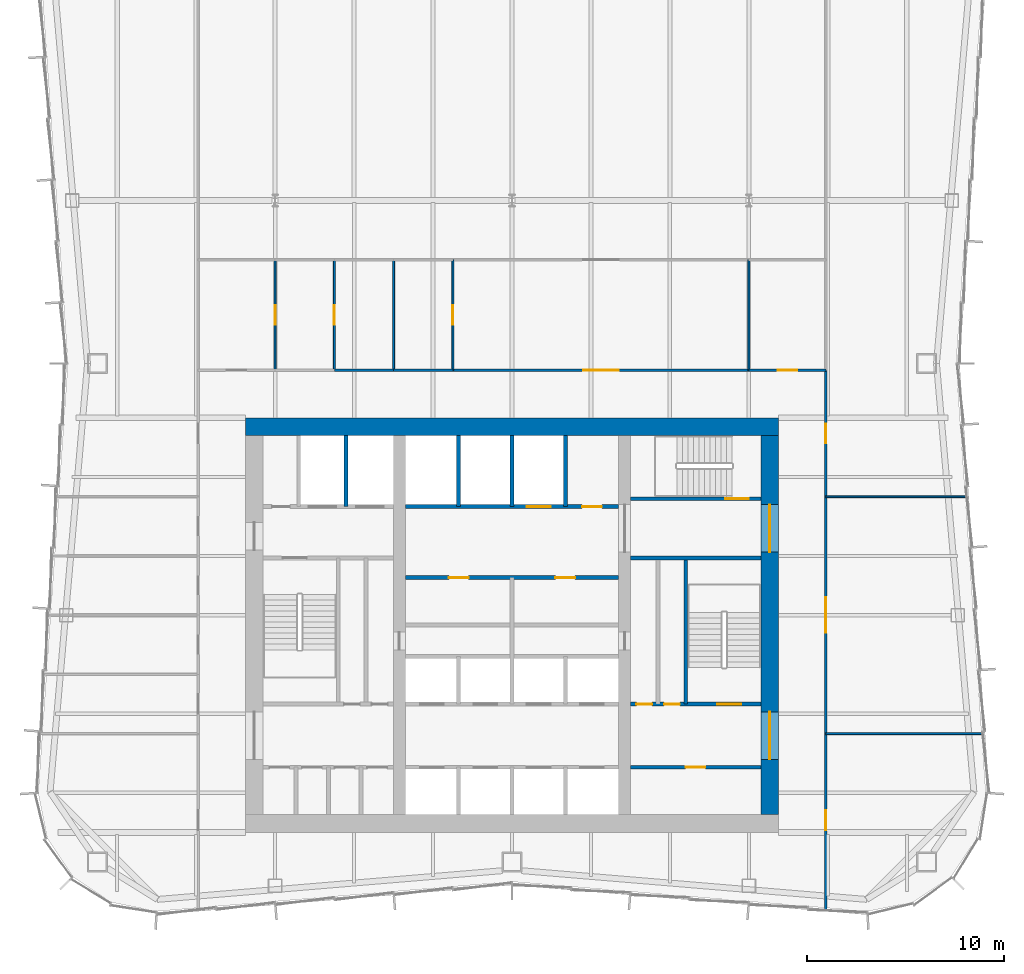
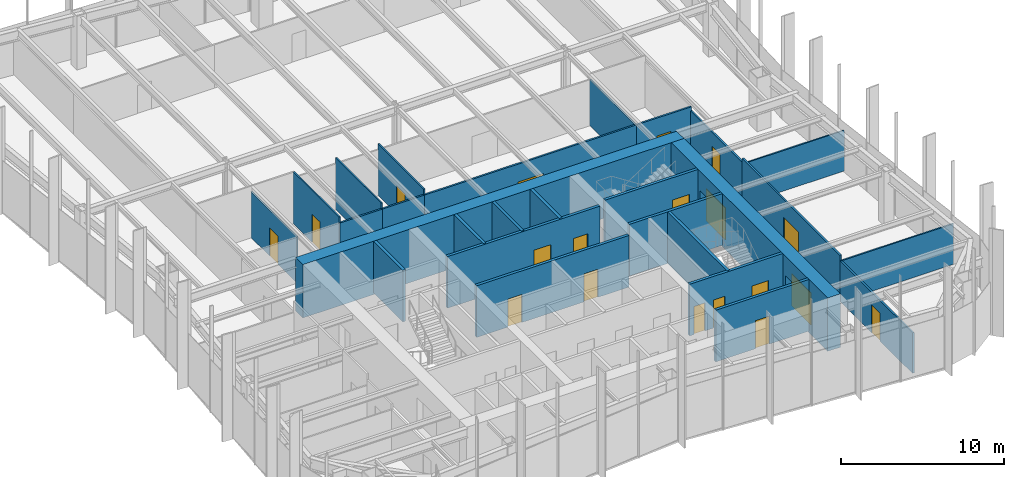
# One storey, part 11 of 13: 27 walls, 19 doors, 19 openings.
"""IFC4 building model written with IfcOpenShell, lengths in metres."""

import ifcopenshell
import ifcopenshell.guid

model = None  # the IFC model being written
_history = None  # IfcOwnerHistory: only IFC2X3 demands one
_inside = {}  # id of a spatial element -> (the spatial element, [elements in it])
_under = {}  # id of a project, library or spatial element -> (it, [spatial elements below it])
_declared = {}  # id of a project -> (the project, [libraries it declares])
_typed = {}  # id of a type object -> (the type object, [elements of that type])
_made_of = {}  # id of a material, layer set ... -> (it, [elements and type objects made of it])


def new_model(schema):
    """Start an empty IFC model of exactly this schema.

    Asked for "IFC4X3", IfcOpenShell would pick the latest addendum, in which some entities
    have other attributes; the version numbers below select the first issue.
    IFC2X3 requires an IfcOwnerHistory on every rooted entity: one is made here for all.
    """
    global model, _history
    if schema == "IFC4X3":
        model = ifcopenshell.file(schema_version=(4, 3, 0, 0))
    else:
        model = ifcopenshell.file(schema=schema)
    _inside.clear()
    _under.clear()
    _declared.clear()
    _typed.clear()
    _made_of.clear()
    _history = None
    if model.schema == "IFC2X3":
        org = make("IfcOrganization", Name="unknown")
        user = make(
            "IfcPersonAndOrganization",
            ThePerson=make("IfcPerson", FamilyName="unknown"),
            TheOrganization=org,
        )
        app = make(
            "IfcApplication",
            ApplicationDeveloper=org,
            Version="unknown",
            ApplicationFullName="unknown",
            ApplicationIdentifier="unknown",
        )
        _history = make(
            "IfcOwnerHistory",
            OwningUser=user,
            OwningApplication=app,
            ChangeAction="ADDED",
            CreationDate=0,
        )
    return model


def make(cls, **values):
    """One entity of the class cls with the attributes given. An attribute that is None is left unset."""
    return model.create_entity(
        cls, **{name: value for name, value in values.items() if value is not None}
    )


def rooted(cls, **values):
    """An entity with a GlobalId (a new one), such as an element, a storey or a relation."""
    return make(cls, GlobalId=ifcopenshell.guid.new(), OwnerHistory=_history, **values)


def si_unit(unit_type, name, prefix=None):
    """IfcSIUnit, for example si_unit("LENGTHUNIT", "METRE", prefix="MILLI")."""
    return make("IfcSIUnit", UnitType=unit_type, Prefix=prefix, Name=name)


def assignment(units):
    """IfcUnitAssignment: the units of a project."""
    return None if units is None else make("IfcUnitAssignment", Units=units)


def point(xyz):
    """IfcCartesianPoint."""
    return None if xyz is None else make("IfcCartesianPoint", Coordinates=xyz)


def direction(xyz):
    """IfcDirection."""
    return None if xyz is None else make("IfcDirection", DirectionRatios=xyz)


def frame(location, z_axis=None, x_axis=None):
    """IfcAxis2Placement3D, a coordinate frame: its origin and axes. An axis left out is left unset."""
    return make(
        "IfcAxis2Placement3D",
        Location=point(location),
        Axis=direction(z_axis),
        RefDirection=direction(x_axis),
    )


def frame_2d(location, x_axis=None):
    """IfcAxis2Placement2D, a coordinate frame in the plane: its origin and x axis."""
    return make(
        "IfcAxis2Placement2D", Location=point(location), RefDirection=direction(x_axis)
    )


def origin():
    """The frame at (0, 0, 0) with its axes left unset."""
    return frame((0.0, 0.0, 0.0))


def place(relative_to, where):
    """IfcLocalPlacement: puts the frame where relative to a parent placement (None: the world)."""
    return make(
        "IfcLocalPlacement", PlacementRelTo=relative_to, RelativePlacement=where
    )


def context(
    kind, dimensions, precision=None, world=None, true_north=None, identifier=None
):
    """IfcGeometricRepresentationContext, for example the 3D "Model" context."""
    return make(
        "IfcGeometricRepresentationContext",
        ContextIdentifier=identifier,
        ContextType=kind,
        CoordinateSpaceDimension=dimensions,
        Precision=precision,
        WorldCoordinateSystem=world,
        TrueNorth=true_north,
    )


def subcontext(parent, identifier, kind, view, scale=None):
    """IfcGeometricRepresentationSubContext, for example "Body" below "Model"."""
    return make(
        "IfcGeometricRepresentationSubContext",
        ContextIdentifier=identifier,
        ContextType=kind,
        ParentContext=parent,
        TargetScale=scale,
        TargetView=view,
    )


def project(units=None, contexts=None):
    """IfcProject with its units and contexts."""
    return rooted(
        "IfcProject",
        Name="project",
        RepresentationContexts=contexts,
        UnitsInContext=assignment(units),
    )


def spatial(cls, under=None, at=None, **own):
    """A site, building, storey or space (cls), placed at a placement, below another one or the project."""
    s = rooted(cls, ObjectPlacement=at, **own)
    if under is not None:
        _under.setdefault(under.id(), (under, []))[1].append(s)
    return s


def profile(cls, at=None, kind="AREA", **sizes):
    """A parametric profile (cls). Its sizes go by their IFC names, for example OverallWidth=200.0."""
    return make(cls, ProfileType=kind, Position=at, **sizes)


def rectangle(**sizes):
    """IfcRectangleProfileDef."""
    return profile("IfcRectangleProfileDef", **sizes)


def extrude(swept, where, along, depth):
    """IfcExtrudedAreaSolid: the profile swept, set in the frame where, extruded along a direction by depth."""
    return make(
        "IfcExtrudedAreaSolid",
        SweptArea=swept,
        Position=where,
        ExtrudedDirection=direction(along),
        Depth=depth,
    )


def shape(context_of_items, identifier, shape_type, items):
    """IfcShapeRepresentation: the items that make up one representation, for example the "Body"."""
    return make(
        "IfcShapeRepresentation",
        ContextOfItems=context_of_items,
        RepresentationIdentifier=identifier,
        RepresentationType=shape_type,
        Items=items,
    )


def material(Name=None, Category=None):
    """IfcMaterial."""
    return make("IfcMaterial", Name=Name, Category=Category)


def layer(
    of_material, thickness, ventilated=None, Name=None, Category=None, Priority=None
):
    """IfcMaterialLayer: one layer of a wall or slab, of a material (None: an air gap)."""
    return make(
        "IfcMaterialLayer",
        Material=of_material,
        LayerThickness=thickness,
        IsVentilated=ventilated,
        Name=Name,
        Category=Category,
        Priority=Priority,
    )


def layer_set(layers, Name=None):
    """IfcMaterialLayerSet."""
    return make("IfcMaterialLayerSet", MaterialLayers=layers, LayerSetName=Name)


def made_of(thing, what):
    """Note that an element or type object is made of a material, layer set ...; save() writes the relation."""
    if what is not None:
        _made_of.setdefault(what.id(), (what, []))[1].append(thing)
    return thing


def type_object(cls, material=None, **own):
    """A type object (cls), such as IfcWallType, which elements share."""
    return made_of(rooted(cls, **own), material)


def element(
    cls,
    number,
    at=None,
    inside=None,
    cuts=None,
    type_object=None,
    material=None,
    context=None,
    identifier="Body",
    shape_type=None,
    held_by="IfcProductDefinitionShape",
    body=None,
    shapes=None,
    **own,
):
    """One element of the class cls, such as IfcWall. Its Tag is "e" and its number.

    at: its placement. inside: the storey or other place that contains it. cuts: it is an
    opening in that element (IfcRelVoidsElement). A single representation is given by context,
    identifier, shape_type and body (its items); several are given by shapes. held_by: the class
    of the entity that holds the representations. save() writes the other relations.
    """
    e = rooted(cls, Tag="e%d" % number, ObjectPlacement=at, **own)
    if body is not None:
        shapes = [shape(context, identifier, shape_type, body)]
    if shapes is not None:
        e.Representation = make(held_by, Representations=shapes)
    if inside is not None:
        _inside.setdefault(inside.id(), (inside, []))[1].append(e)
    if cuts is not None:
        rooted(
            "IfcRelVoidsElement", RelatingBuildingElement=cuts, RelatedOpeningElement=e
        )
    if type_object is not None:
        _typed.setdefault(type_object.id(), (type_object, []))[1].append(e)
    return made_of(e, material)


def fill(opening, filler):
    """IfcRelFillsElement: the door or window that sits in an opening."""
    return rooted(
        "IfcRelFillsElement",
        RelatingOpeningElement=opening,
        RelatedBuildingElement=filler,
    )


def aggregate(whole, parts):
    """IfcRelAggregates: a whole, such as a stair, and the parts it consists of."""
    return rooted("IfcRelAggregates", RelatingObject=whole, RelatedObjects=parts)


def save(model, path):
    """Write the relations noted so far, then the file.

    IfcRelAggregates (storeys below a building ...), IfcRelContainedInSpatialStructure (elements
    in a storey), IfcRelDefinesByType, IfcRelAssociatesMaterial and IfcRelDeclares: one each for
    every whole, place, type object, material and project.
    """
    for whole, parts in _under.values():
        aggregate(whole, parts)
    for where, things in _inside.values():
        rooted(
            "IfcRelContainedInSpatialStructure",
            RelatedElements=things,
            RelatingStructure=where,
        )
    for kind, things in _typed.values():
        rooted("IfcRelDefinesByType", RelatedObjects=things, RelatingType=kind)
    for what, things in _made_of.values():
        rooted("IfcRelAssociatesMaterial", RelatedObjects=things, RelatingMaterial=what)
    for by, libraries in _declared.values():
        rooted("IfcRelDeclares", RelatingContext=by, RelatedDefinitions=libraries)
    model.write(path)


model = new_model("IFC4")

# Units and contexts
model_context = context("Model", 3, precision=1e-05, world=origin(), true_north=direction((0.0, 1.0)))
body_context = subcontext(model_context, "Body", "Model", "MODEL_VIEW")
ifc_project = project(units=[si_unit("LENGTHUNIT", "METRE"), si_unit("AREAUNIT", "SQUARE_METRE"), si_unit("VOLUMEUNIT", "CUBIC_METRE"), si_unit("PLANEANGLEUNIT", "RADIAN"), si_unit("MASSUNIT", "GRAM", prefix="KILO")], contexts=[model_context])

# Site, building, storey
site_placement = place(None, origin())
site = spatial("IfcSite", under=ifc_project, at=site_placement, CompositionType="ELEMENT")
building_placement = place(site_placement, origin())
building = spatial("IfcBuilding", under=site, at=building_placement, Name="Verdant Reach Tower", CompositionType="ELEMENT")
storey_placement = place(building_placement, frame((0.0, 0.0, 218.0)))
storey = spatial("IfcBuildingStorey", under=building, at=storey_placement, Name="L50", CompositionType="ELEMENT", Elevation=218.0)

# Wall, opening, door
ifc_material_1 = material(Name="Gypsum board on steel studs", Category="steel")
ifc_layer_1 = layer(ifc_material_1, 0.199951171875)
ifc_layer_set_1 = layer_set([ifc_layer_1], Name="CO-WALL-ROOM")
wall_type_1 = type_object("IfcWallType", Name="CO-WALL-ROOM", PredefinedType="PARTITIONING", material=ifc_layer_set_1)
wall_1_placement = place(storey_placement, frame((6.0, 20.800048828125, 0.0), z_axis=(0.0, 0.0, 1.0), x_axis=(1.0, 0.0, 0.0)))
wall_1 = element("IfcWall", 1, at=wall_1_placement, inside=storey, type_object=wall_type_1, Name="Core partition, L50", PredefinedType="PARTITIONING", context=body_context, shape_type="SweptSolid", body=[
    extrude(rectangle(XDim=6.60009765625, YDim=0.199951171875, at=frame_2d((3.300048828125, 0.0))), origin(), (0.0, 0.0, 1.0), 3.8701171875),
])
opening_1_placement = place(wall_1_placement, frame((2.800048828125, 0.0, 0.0)))
opening_1 = element("IfcOpeningElement", 2, at=opening_1_placement, cuts=wall_1, Name="Opening CD", PredefinedType="OPENING", context=body_context, shape_type="SweptSolid", body=[
    extrude(rectangle(XDim=1.0, YDim=2.10009765625, at=frame_2d((0.5, 1.050048828125))), frame((0.0, 0.10986328125, 0.0), z_axis=(0.0, -1.0, 0.0), x_axis=(1.0, 0.0, 0.0)), (0.0, 0.0, 1.0), 0.219970703125),
])
ifc_material_2 = material(Name="Timber", Category="wood")
door_type_1 = type_object("IfcDoorType", Name="CO-DOOR-ROOM", OperationType="NOTDEFINED", PredefinedType="DOOR", material=ifc_material_2)
door_1_placement = place(opening_1_placement, origin())
door_1 = element("IfcDoor", 3, at=door_1_placement, inside=storey, type_object=door_type_1, Name="Core room door, L50", OperationType="SINGLE_SWING_LEFT", OverallHeight=2.10009765625, OverallWidth=1.0, PredefinedType="DOOR", context=body_context, shape_type="SweptSolid", body=[
    extrude(rectangle(XDim=1.0, YDim=2.10009765625, at=frame_2d((0.5, 1.050048828125))), frame((0.0, 0.02490234375, 0.0), z_axis=(0.0, -1.0, 0.0), x_axis=(1.0, 0.0, 0.0)), (0.0, 0.0, 1.0), 0.050048828125),
])
fill(opening_1, door_1)

# Wall, openings, doors
wall_2_placement = place(storey_placement, frame((-5.39990234375, 30.39990234375, 0.0), z_axis=(0.0, 0.0, 1.0), x_axis=(1.0, 0.0, 0.0)))
wall_2 = element("IfcWall", 4, at=wall_2_placement, inside=storey, type_object=wall_type_1, Name="Core partition, L50", PredefinedType="PARTITIONING", context=body_context, shape_type="SweptSolid", body=[
    extrude(rectangle(XDim=10.7998046875, YDim=0.199951171875, at=frame_2d((5.39990234375, 0.0))), origin(), (0.0, 0.0, 1.0), 3.8701171875),
])
opening_2_placement = place(wall_2_placement, frame((2.199951171875, 0.0, 0.0)))
opening_2 = element("IfcOpeningElement", 5, at=opening_2_placement, cuts=wall_2, Name="Opening CD", PredefinedType="OPENING", context=body_context, shape_type="SweptSolid", body=[
    extrude(rectangle(XDim=1.0, YDim=2.10009765625, at=frame_2d((0.5, 1.050048828125))), frame((0.0, 0.10986328125, 0.0), z_axis=(0.0, -1.0, 0.0), x_axis=(1.0, 0.0, 0.0)), (0.0, 0.0, 1.0), 0.219970703125),
])
opening_3_placement = place(wall_2_placement, frame((7.60009765625, 0.0, 0.0)))
opening_3 = element("IfcOpeningElement", 6, at=opening_3_placement, cuts=wall_2, Name="Opening CD", PredefinedType="OPENING", context=body_context, shape_type="SweptSolid", body=[
    extrude(rectangle(XDim=1.0, YDim=2.10009765625, at=frame_2d((0.5, 1.050048828125))), frame((0.0, 0.10986328125, 0.0), z_axis=(0.0, -1.0, 0.0), x_axis=(1.0, 0.0, 0.0)), (0.0, 0.0, 1.0), 0.219970703125),
])
door_2_placement = place(opening_2_placement, origin())
door_2 = element("IfcDoor", 7, at=door_2_placement, inside=storey, type_object=door_type_1, Name="Core room door, L50", OperationType="SINGLE_SWING_LEFT", OverallHeight=2.10009765625, OverallWidth=1.0, PredefinedType="DOOR", context=body_context, shape_type="SweptSolid", body=[
    extrude(rectangle(XDim=1.0, YDim=2.10009765625, at=frame_2d((0.5, 1.050048828125))), frame((0.0, 0.02490234375, 0.0), z_axis=(0.0, -1.0, 0.0), x_axis=(1.0, 0.0, 0.0)), (0.0, 0.0, 1.0), 0.050048828125),
])
fill(opening_2, door_2)
door_3_placement = place(opening_3_placement, origin())
door_3 = element("IfcDoor", 8, at=door_3_placement, inside=storey, type_object=door_type_1, Name="Core room door, L50", OperationType="SINGLE_SWING_RIGHT", OverallHeight=2.10009765625, OverallWidth=1.0, PredefinedType="DOOR", context=body_context, shape_type="SweptSolid", body=[
    extrude(rectangle(XDim=1.0, YDim=2.10009765625, at=frame_2d((0.5, 1.050048828125))), frame((0.0, 0.02490234375, 0.0), z_axis=(0.0, -1.0, 0.0), x_axis=(1.0, 0.0, 0.0)), (0.0, 0.0, 1.0), 0.050048828125),
])
fill(opening_3, door_3)

ifc_material_3 = material(Name="Concrete C40/50", Category="concrete")
ifc_layer_2 = layer(ifc_material_3, 0.199951171875)
ifc_layer_set_2 = layer_set([ifc_layer_2], Name="CO-WALL-SHAFT")
wall_type_2 = type_object("IfcWallType", Name="CO-WALL-SHAFT", PredefinedType="PARTITIONING", material=ifc_layer_set_2)
wall_3_placement = place(storey_placement, frame((-5.39990234375, 34.0, 0.0), z_axis=(0.0, 0.0, 1.0), x_axis=(1.0, 0.0, 0.0)))
wall_3 = element("IfcWall", 9, at=wall_3_placement, inside=storey, type_object=wall_type_2, Name="Lift shaft wall, L50", PredefinedType="PARTITIONING", context=body_context, shape_type="SweptSolid", body=[
    extrude(rectangle(XDim=10.7998046875, YDim=0.199951171875, at=frame_2d((5.39990234375, 0.0))), origin(), (0.0, 0.0, 1.0), 3.8701171875),
])
opening_4_placement = place(wall_3_placement, frame((6.14990234375, 0.0, 0.0)))
opening_4 = element("IfcOpeningElement", 10, at=opening_4_placement, cuts=wall_3, Name="Opening LD-SL1", PredefinedType="OPENING", context=body_context, shape_type="SweptSolid", body=[
    extrude(rectangle(XDim=1.199951171875, YDim=2.199951171875, at=frame_2d((0.60009765625, 1.10009765625))), frame((0.0, 0.10986328125, 0.0), z_axis=(0.0, -1.0, 0.0), x_axis=(1.0, 0.0, 0.0)), (0.0, 0.0, 1.0), 0.219970703125),
])
opening_5_placement = place(wall_3_placement, frame((8.949951171875, 0.0, 0.0)))
opening_5 = element("IfcOpeningElement", 11, at=opening_5_placement, cuts=wall_3, Name="Opening CD", PredefinedType="OPENING", context=body_context, shape_type="SweptSolid", body=[
    extrude(rectangle(XDim=1.0, YDim=2.10009765625, at=frame_2d((0.5, 1.050048828125))), frame((0.0, 0.10986328125, 0.0), z_axis=(0.0, -1.0, 0.0), x_axis=(1.0, 0.0, 0.0)), (0.0, 0.0, 1.0), 0.219970703125),
])
ifc_material_4 = material(Name="Stainless steel", Category="steel")
door_type_2 = type_object("IfcDoorType", Name="CO-DOOR-LANDING", OperationType="SLIDING_TO_LEFT", PredefinedType="DOOR", material=ifc_material_4)
door_4_placement = place(opening_4_placement, origin())
door_4 = element("IfcDoor", 12, at=door_4_placement, inside=storey, type_object=door_type_2, Name="Landing door SL1, L50", OperationType="SLIDING_TO_LEFT", OverallHeight=2.199951171875, OverallWidth=1.199951171875, PredefinedType="DOOR", context=body_context, shape_type="SweptSolid", body=[
    extrude(rectangle(XDim=1.199951171875, YDim=2.199951171875, at=frame_2d((0.60009765625, 1.10009765625))), frame((0.0, 0.02490234375, 0.0), z_axis=(0.0, -1.0, 0.0), x_axis=(1.0, 0.0, 0.0)), (0.0, 0.0, 1.0), 0.050048828125),
])
fill(opening_4, door_4)
door_5_placement = place(opening_5_placement, origin())
door_5 = element("IfcDoor", 13, at=door_5_placement, inside=storey, type_object=door_type_1, Name="Core room door, L50", OperationType="SINGLE_SWING_LEFT", OverallHeight=2.10009765625, OverallWidth=1.0, PredefinedType="DOOR", context=body_context, shape_type="SweptSolid", body=[
    extrude(rectangle(XDim=1.0, YDim=2.10009765625, at=frame_2d((0.5, 1.050048828125))), frame((0.0, 0.02490234375, 0.0), z_axis=(0.0, -1.0, 0.0), x_axis=(1.0, 0.0, 0.0)), (0.0, 0.0, 1.0), 0.050048828125),
])
fill(opening_5, door_5)

# Walls
for number, where, z_axis, x_axis, name in (
    (14, (-8.39990234375, 34.0, 0.0), (0.0, 0.0, 1.0), (0.0, 1.0, 0.0), "Lift shaft wall, L50"),
    (15, (-2.699951171875, 34.0, 0.0), (0.0, 0.0, 1.0), (0.0, 1.0, 0.0), "Lift shaft wall, L50"),
    (16, (0.0, 34.0, 0.0), (0.0, 0.0, 1.0), (0.0, 1.0, 0.0), "Lift shaft wall, L50"),
    (17, (2.699951171875, 34.0, 0.0), (0.0, 0.0, 1.0), (0.0, 1.0, 0.0), "Lift shaft wall, L50"),
):
    element("IfcWall", number, at=place(storey_placement, frame(where, z_axis=z_axis, x_axis=x_axis)), inside=storey, type_object=wall_type_2, Name=name, PredefinedType="PARTITIONING", context=body_context, shape_type="SweptSolid", body=[
        extrude(rectangle(XDim=3.60009765625, YDim=0.199951171875, at=frame_2d((1.800048828125, 0.0))), origin(), (0.0, 0.0, 1.0), 3.8701171875),
    ])

# Wall, openings, doors
ifc_layer_3 = layer(ifc_material_3, 0.199951171875)
ifc_layer_set_3 = layer_set([ifc_layer_3], Name="CO-WALL-STAIR")
wall_type_3 = type_object("IfcWallType", Name="CO-WALL-STAIR", PredefinedType="PARTITIONING", material=ifc_layer_set_3)
wall_4_placement = place(storey_placement, frame((6.0, 24.0, 0.0), z_axis=(0.0, 0.0, 1.0), x_axis=(1.0, 0.0, 0.0)))
wall_4 = element("IfcWall", 18, at=wall_4_placement, inside=storey, type_object=wall_type_3, Name="Stair enclosure wall, L50", PredefinedType="PARTITIONING", context=body_context, shape_type="SweptSolid", body=[
    extrude(rectangle(XDim=6.60009765625, YDim=0.199951171875, at=frame_2d((3.300048828125, 0.0))), origin(), (0.0, 0.0, 1.0), 3.8701171875),
])
opening_6_placement = place(wall_4_placement, frame((0.300048828125, 0.0, 0.0)))
opening_6 = element("IfcOpeningElement", 19, at=opening_6_placement, cuts=wall_4, Name="Opening CDN", PredefinedType="OPENING", context=body_context, shape_type="SweptSolid", body=[
    extrude(rectangle(XDim=0.800048828125, YDim=2.10009765625, at=frame_2d((0.39990234375, 1.050048828125))), frame((0.0, 0.10986328125, 0.0), z_axis=(0.0, -1.0, 0.0), x_axis=(1.0, 0.0, 0.0)), (0.0, 0.0, 1.0), 0.219970703125),
])
opening_7_placement = place(wall_4_placement, frame((1.699951171875, 0.0, 0.0)))
opening_7 = element("IfcOpeningElement", 20, at=opening_7_placement, cuts=wall_4, Name="Opening CDN", PredefinedType="OPENING", context=body_context, shape_type="SweptSolid", body=[
    extrude(rectangle(XDim=0.800048828125, YDim=2.10009765625, at=frame_2d((0.39990234375, 1.050048828125))), frame((0.0, 0.10986328125, 0.0), z_axis=(0.0, -1.0, 0.0), x_axis=(1.0, 0.0, 0.0)), (0.0, 0.0, 1.0), 0.219970703125),
])
opening_8_placement = place(wall_4_placement, frame((4.39990234375, 0.0, 0.0)))
opening_8 = element("IfcOpeningElement", 21, at=opening_8_placement, cuts=wall_4, Name="Opening SD", PredefinedType="OPENING", context=body_context, shape_type="SweptSolid", body=[
    extrude(rectangle(XDim=1.199951171875, YDim=2.199951171875, at=frame_2d((0.60009765625, 1.10009765625))), frame((0.0, 0.10986328125, 0.0), z_axis=(0.0, -1.0, 0.0), x_axis=(1.0, 0.0, 0.0)), (0.0, 0.0, 1.0), 0.219970703125),
])
door_type_3 = type_object("IfcDoorType", Name="CO-DOOR-ROOM-NARROW", OperationType="NOTDEFINED", PredefinedType="DOOR", material=ifc_material_2)
door_6_placement = place(opening_6_placement, origin())
door_6 = element("IfcDoor", 22, at=door_6_placement, inside=storey, type_object=door_type_3, Name="Core room door, L50", OperationType="SINGLE_SWING_RIGHT", OverallHeight=2.10009765625, OverallWidth=0.800048828125, PredefinedType="DOOR", context=body_context, shape_type="SweptSolid", body=[
    extrude(rectangle(XDim=0.800048828125, YDim=2.10009765625, at=frame_2d((0.39990234375, 1.050048828125))), frame((0.0, 0.02490234375, 0.0), z_axis=(0.0, -1.0, 0.0), x_axis=(1.0, 0.0, 0.0)), (0.0, 0.0, 1.0), 0.050048828125),
])
fill(opening_6, door_6)
door_7_placement = place(opening_7_placement, origin())
door_7 = element("IfcDoor", 23, at=door_7_placement, inside=storey, type_object=door_type_3, Name="Core room door, L50", OperationType="SINGLE_SWING_LEFT", OverallHeight=2.10009765625, OverallWidth=0.800048828125, PredefinedType="DOOR", context=body_context, shape_type="SweptSolid", body=[
    extrude(rectangle(XDim=0.800048828125, YDim=2.10009765625, at=frame_2d((0.39990234375, 1.050048828125))), frame((0.0, 0.02490234375, 0.0), z_axis=(0.0, -1.0, 0.0), x_axis=(1.0, 0.0, 0.0)), (0.0, 0.0, 1.0), 0.050048828125),
])
fill(opening_7, door_7)
ifc_material_5 = material(Name="Steel", Category="steel")
door_type_4 = type_object("IfcDoorType", Name="CO-DOOR-STAIR", OperationType="NOTDEFINED", PredefinedType="DOOR", material=ifc_material_5)
door_8_placement = place(opening_8_placement, origin())
door_8 = element("IfcDoor", 24, at=door_8_placement, inside=storey, type_object=door_type_4, Name="Stair door, L50", OperationType="SINGLE_SWING_LEFT", OverallHeight=2.199951171875, OverallWidth=1.199951171875, PredefinedType="DOOR", context=body_context, shape_type="SweptSolid", body=[
    extrude(rectangle(XDim=1.199951171875, YDim=2.199951171875, at=frame_2d((0.60009765625, 1.10009765625))), frame((0.0, 0.02490234375, 0.0), z_axis=(0.0, -1.0, 0.0), x_axis=(1.0, 0.0, 0.0)), (0.0, 0.0, 1.0), 0.050048828125),
])
fill(opening_8, door_8)

# Wall
wall_5_placement = place(storey_placement, frame((6.0, 31.39990234375, 0.0), z_axis=(0.0, 0.0, 1.0), x_axis=(1.0, 0.0, 0.0)))
element("IfcWall", 25, at=wall_5_placement, inside=storey, type_object=wall_type_3, Name="Stair enclosure wall, L50", PredefinedType="PARTITIONING", context=body_context, shape_type="SweptSolid", body=[
    extrude(rectangle(XDim=6.60009765625, YDim=0.199951171875, at=frame_2d((3.300048828125, 0.0))), origin(), (0.0, 0.0, 1.0), 3.8701171875),
])

# Wall, opening, door
wall_6_placement = place(storey_placement, frame((6.0, 34.39990234375, 0.0), z_axis=(0.0, 0.0, 1.0), x_axis=(1.0, 0.0, 0.0)))
wall_6 = element("IfcWall", 26, at=wall_6_placement, inside=storey, type_object=wall_type_3, Name="Stair enclosure wall, L50", PredefinedType="PARTITIONING", context=body_context, shape_type="SweptSolid", body=[
    extrude(rectangle(XDim=6.60009765625, YDim=0.199951171875, at=frame_2d((3.300048828125, 0.0))), origin(), (0.0, 0.0, 1.0), 3.8701171875),
])
opening_9_placement = place(wall_6_placement, frame((4.800048828125, 0.0, 0.0)))
opening_9 = element("IfcOpeningElement", 27, at=opening_9_placement, cuts=wall_6, Name="Opening SD", PredefinedType="OPENING", context=body_context, shape_type="SweptSolid", body=[
    extrude(rectangle(XDim=1.199951171875, YDim=2.199951171875, at=frame_2d((0.60009765625, 1.10009765625))), frame((0.0, 0.10986328125, 0.0), z_axis=(0.0, -1.0, 0.0), x_axis=(1.0, 0.0, 0.0)), (0.0, 0.0, 1.0), 0.219970703125),
])
door_9_placement = place(opening_9_placement, origin())
door_9 = element("IfcDoor", 28, at=door_9_placement, inside=storey, type_object=door_type_4, Name="Stair door, L50", OperationType="SINGLE_SWING_RIGHT", OverallHeight=2.199951171875, OverallWidth=1.199951171875, PredefinedType="DOOR", context=body_context, shape_type="SweptSolid", body=[
    extrude(rectangle(XDim=1.199951171875, YDim=2.199951171875, at=frame_2d((0.60009765625, 1.10009765625))), frame((0.0, 0.02490234375, 0.0), z_axis=(0.0, -1.0, 0.0), x_axis=(1.0, 0.0, 0.0)), (0.0, 0.0, 1.0), 0.050048828125),
])
fill(opening_9, door_9)

# Wall
wall_7_placement = place(storey_placement, frame((8.800048828125, 24.0, 0.0), z_axis=(0.0, 0.0, 1.0), x_axis=(0.0, 1.0, 0.0)))
element("IfcWall", 29, at=wall_7_placement, inside=storey, type_object=wall_type_3, Name="Stair enclosure wall, L50", PredefinedType="PARTITIONING", context=body_context, shape_type="SweptSolid", body=[
    extrude(rectangle(XDim=7.39990234375, YDim=0.199951171875, at=frame_2d((3.699951171875, 0.0))), origin(), (0.0, 0.0, 1.0), 3.8701171875),
])

# Wall, opening, door
ifc_layer_4 = layer(ifc_material_1, 0.10009765625)
ifc_layer_set_4 = layer_set([ifc_layer_4], Name="FL-W1 Partition 100")
wall_type_4 = type_object("IfcWallType", Name="FL-W1 Partition 100", PredefinedType="PARTITIONING", material=ifc_layer_set_4)
wall_8_placement = place(storey_placement, frame((-12.0, 46.5, 0.0), z_axis=(0.0, 0.0, 1.0), x_axis=(0.0, -1.0, 0.0)))
wall_8 = element("IfcWall", 30, at=wall_8_placement, inside=storey, type_object=wall_type_4, Name="Partition 50.16", PredefinedType="PARTITIONING", context=body_context, shape_type="SweptSolid", body=[
    extrude(rectangle(XDim=5.60009765625, YDim=0.10009765625, at=frame_2d((2.800048828125, 0.0))), origin(), (0.0, 0.0, 1.0), 3.43994140625),
])
opening_10_placement = place(wall_8_placement, frame((2.300048828125, 0.0, 0.0)))
opening_10 = element("IfcOpeningElement", 31, at=opening_10_placement, cuts=wall_8, Name="Opening D3", PredefinedType="OPENING", context=body_context, shape_type="SweptSolid", body=[
    extrude(rectangle(XDim=1.0, YDim=2.10009765625, at=frame_2d((0.5, 1.050048828125))), frame((0.0, 0.06005859375, 0.0), z_axis=(0.0, -1.0, 0.0), x_axis=(1.0, 0.0, 0.0)), (0.0, 0.0, 1.0), 0.1201171875),
])
ifc_material_6 = material(Name="Painted timber door leaf", Category="wood")
door_type_5 = type_object("IfcDoorType", Name="FL-D3 Door 1000x2100", OperationType="NOTDEFINED", PredefinedType="DOOR", material=ifc_material_6)
door_10_placement = place(opening_10_placement, origin())
door_10 = element("IfcDoor", 32, at=door_10_placement, inside=storey, type_object=door_type_5, Name="Door 50-013", OperationType="SINGLE_SWING_LEFT", OverallHeight=2.10009765625, OverallWidth=1.0, PredefinedType="DOOR", context=body_context, shape_type="SweptSolid", body=[
    extrude(rectangle(XDim=1.0, YDim=2.10009765625, at=frame_2d((0.5, 1.050048828125))), frame((0.0, 0.02490234375, 0.0), z_axis=(0.0, -1.0, 0.0), x_axis=(1.0, 0.0, 0.0)), (0.0, 0.0, 1.0), 0.050048828125),
])
fill(opening_10, door_10)

wall_9_placement = place(storey_placement, frame((-9.0, 46.5, 0.0), z_axis=(0.0, 0.0, 1.0), x_axis=(0.0, -1.0, 0.0)))
wall_9 = element("IfcWall", 33, at=wall_9_placement, inside=storey, type_object=wall_type_4, Name="Partition 50.19", PredefinedType="PARTITIONING", context=body_context, shape_type="SweptSolid", body=[
    extrude(rectangle(XDim=5.60009765625, YDim=0.10009765625, at=frame_2d((2.800048828125, 0.0))), origin(), (0.0, 0.0, 1.0), 3.8701171875),
])
opening_11_placement = place(wall_9_placement, frame((2.300048828125, 0.0, 0.0)))
opening_11 = element("IfcOpeningElement", 34, at=opening_11_placement, cuts=wall_9, Name="Opening D3", PredefinedType="OPENING", context=body_context, shape_type="SweptSolid", body=[
    extrude(rectangle(XDim=1.0, YDim=2.10009765625, at=frame_2d((0.5, 1.050048828125))), frame((0.0, 0.06005859375, 0.0), z_axis=(0.0, -1.0, 0.0), x_axis=(1.0, 0.0, 0.0)), (0.0, 0.0, 1.0), 0.1201171875),
])
door_11_placement = place(opening_11_placement, origin())
door_11 = element("IfcDoor", 35, at=door_11_placement, inside=storey, type_object=door_type_5, Name="Door 50-014", OperationType="SINGLE_SWING_RIGHT", OverallHeight=2.10009765625, OverallWidth=1.0, PredefinedType="DOOR", context=body_context, shape_type="SweptSolid", body=[
    extrude(rectangle(XDim=1.0, YDim=2.10009765625, at=frame_2d((0.5, 1.050048828125))), frame((0.0, 0.02490234375, 0.0), z_axis=(0.0, -1.0, 0.0), x_axis=(1.0, 0.0, 0.0)), (0.0, 0.0, 1.0), 0.050048828125),
])
fill(opening_11, door_11)

# Wall
wall_10_placement = place(storey_placement, frame((-6.0, 40.89990234375, 0.0), z_axis=(0.0, 0.0, 1.0), x_axis=(0.0, 1.0, 0.0)))
element("IfcWall", 36, at=wall_10_placement, inside=storey, type_object=wall_type_4, Name="Partition 50.21", PredefinedType="PARTITIONING", context=body_context, shape_type="SweptSolid", body=[
    extrude(rectangle(XDim=5.60009765625, YDim=0.10009765625, at=frame_2d((2.800048828125, 0.0))), origin(), (0.0, 0.0, 1.0), 3.8701171875),
])

# Wall, opening, door
wall_11_placement = place(storey_placement, frame((-3.0, 40.89990234375, 0.0), z_axis=(0.0, 0.0, 1.0), x_axis=(0.0, 1.0, 0.0)))
wall_11 = element("IfcWall", 37, at=wall_11_placement, inside=storey, type_object=wall_type_4, Name="Partition 50.23", PredefinedType="PARTITIONING", context=body_context, shape_type="SweptSolid", body=[
    extrude(rectangle(XDim=5.60009765625, YDim=0.10009765625, at=frame_2d((2.800048828125, 0.0))), origin(), (0.0, 0.0, 1.0), 3.8701171875),
])
opening_12_placement = place(wall_11_placement, frame((2.300048828125, 0.0, 0.0)))
opening_12 = element("IfcOpeningElement", 38, at=opening_12_placement, cuts=wall_11, Name="Opening D3", PredefinedType="OPENING", context=body_context, shape_type="SweptSolid", body=[
    extrude(rectangle(XDim=1.0, YDim=2.10009765625, at=frame_2d((0.5, 1.050048828125))), frame((0.0, 0.06005859375, 0.0), z_axis=(0.0, -1.0, 0.0), x_axis=(1.0, 0.0, 0.0)), (0.0, 0.0, 1.0), 0.1201171875),
])
door_12_placement = place(opening_12_placement, origin())
door_12 = element("IfcDoor", 39, at=door_12_placement, inside=storey, type_object=door_type_5, Name="Door 50-015", OperationType="SINGLE_SWING_LEFT", OverallHeight=2.10009765625, OverallWidth=1.0, PredefinedType="DOOR", context=body_context, shape_type="SweptSolid", body=[
    extrude(rectangle(XDim=1.0, YDim=2.10009765625, at=frame_2d((0.5, 1.050048828125))), frame((0.0, 0.02490234375, 0.0), z_axis=(0.0, -1.0, 0.0), x_axis=(1.0, 0.0, 0.0)), (0.0, 0.0, 1.0), 0.050048828125),
])
fill(opening_12, door_12)

# Walls
wall_12_placement = place(storey_placement, frame((12.0, 40.89990234375, 0.0), z_axis=(0.0, 0.0, 1.0), x_axis=(0.0, 1.0, 0.0)))
element("IfcWall", 40, at=wall_12_placement, inside=storey, type_object=wall_type_4, Name="Partition 50.25", PredefinedType="PARTITIONING", context=body_context, shape_type="SweptSolid", body=[
    extrude(rectangle(XDim=5.60009765625, YDim=0.10009765625, at=frame_2d((2.800048828125, 0.0))), origin(), (0.0, 0.0, 1.0), 3.43994140625),
])
wall_13_placement = place(storey_placement, frame((23.873046875, 22.5, 0.0), z_axis=(0.0, 0.0, 1.0), x_axis=(-1.0, 0.0, 0.0)))
element("IfcWall", 41, at=wall_13_placement, inside=storey, type_object=wall_type_4, Name="Partition 50.43", PredefinedType="PARTITIONING", context=body_context, shape_type="SweptSolid", body=[
    extrude(rectangle(XDim=7.97314453125, YDim=0.10009765625, at=frame_2d((3.986572265625, 0.0))), origin(), (0.0, 0.0, 1.0), 3.0400390625),
])
wall_14_placement = place(storey_placement, frame((23.04541015625, 34.5, 0.0), z_axis=(0.0, 0.0, 1.0), x_axis=(-1.0, 0.0, 0.0)))
element("IfcWall", 42, at=wall_14_placement, inside=storey, type_object=wall_type_4, Name="Partition 50.44", PredefinedType="PARTITIONING", context=body_context, shape_type="SweptSolid", body=[
    extrude(rectangle(XDim=7.1455078125, YDim=0.10009765625, at=frame_2d((3.57275390625, 0.0))), origin(), (0.0, 0.0, 1.0), 3.0400390625),
])
ifc_material_7 = material(Name="Gypsum board on steel studs, fire rated", Category="steel")
ifc_layer_5 = layer(ifc_material_7, 0.125)
ifc_layer_set_5 = layer_set([ifc_layer_5], Name="FL-W2 Corridor wall 125")
wall_type_5 = type_object("IfcWallType", Name="FL-W2 Corridor wall 125", PredefinedType="PARTITIONING", material=ifc_layer_set_5)
for number, where, z_axis, x_axis, name in (
    (43, (-6.0, 40.89990234375, 0.0), (0.0, 0.0, 1.0), (-1.0, 0.0, 0.0), "Partition 50.03"),
    (44, (-3.0, 40.89990234375, 0.0), (0.0, 0.0, 1.0), (-1.0, 0.0, 0.0), "Partition 50.04"),
):
    element("IfcWall", number, at=place(storey_placement, frame(where, z_axis=z_axis, x_axis=x_axis)), inside=storey, type_object=wall_type_5, Name=name, PredefinedType="PARTITIONING", context=body_context, shape_type="SweptSolid", body=[
        extrude(rectangle(XDim=3.0, YDim=0.125, at=frame_2d((1.5, 0.0))), origin(), (0.0, 0.0, 1.0), 3.43994140625),
    ])

# Wall, opening, door
wall_15_placement = place(storey_placement, frame((12.0, 40.89990234375, 0.0), z_axis=(0.0, 0.0, 1.0), x_axis=(-1.0, 0.0, 0.0)))
wall_15 = element("IfcWall", 45, at=wall_15_placement, inside=storey, type_object=wall_type_5, Name="Partition 50.05", PredefinedType="PARTITIONING", context=body_context, shape_type="SweptSolid", body=[
    extrude(rectangle(XDim=15.0, YDim=0.125, at=frame_2d((7.5, 0.0))), origin(), (0.0, 0.0, 1.0), 3.43994140625),
])
opening_13_placement = place(wall_15_placement, frame((6.60009765625, 0.0, 0.0)))
opening_13 = element("IfcOpeningElement", 46, at=opening_13_placement, cuts=wall_15, Name="Opening D4", PredefinedType="OPENING", context=body_context, shape_type="SweptSolid", body=[
    extrude(rectangle(XDim=1.800048828125, YDim=2.10009765625, at=frame_2d((0.89990234375, 1.050048828125))), frame((0.0, 0.072509765625, 0.0), z_axis=(0.0, -1.0, 0.0), x_axis=(1.0, 0.0, 0.0)), (0.0, 0.0, 1.0), 0.14501953125),
])
ifc_material_8 = material(Name="Timber door leaves, fire rated", Category="wood")
door_type_6 = type_object("IfcDoorType", Name="FL-D4 Double door 1800x2100 FD30", OperationType="DOUBLE_DOOR_SINGLE_SWING", PredefinedType="DOOR", material=ifc_material_8)
door_13_placement = place(opening_13_placement, origin())
door_13 = element("IfcDoor", 47, at=door_13_placement, inside=storey, type_object=door_type_6, Name="Door 50-002", OperationType="DOUBLE_DOOR_SINGLE_SWING", OverallHeight=2.10009765625, OverallWidth=1.800048828125, PredefinedType="DOOR", context=body_context, shape_type="SweptSolid", body=[
    extrude(rectangle(XDim=1.800048828125, YDim=2.10009765625, at=frame_2d((0.89990234375, 1.050048828125))), frame((0.0, 0.02490234375, 0.0), z_axis=(0.0, -1.0, 0.0), x_axis=(1.0, 0.0, 0.0)), (0.0, 0.0, 1.0), 0.050048828125),
])
fill(opening_13, door_13)

wall_16_placement = place(storey_placement, frame((12.0, 40.89990234375, 0.0), z_axis=(0.0, 0.0, 1.0), x_axis=(1.0, 0.0, 0.0)))
wall_16 = element("IfcWall", 48, at=wall_16_placement, inside=storey, type_object=wall_type_5, Name="Partition 50.06", PredefinedType="PARTITIONING", context=body_context, shape_type="SweptSolid", body=[
    extrude(rectangle(XDim=3.89990234375, YDim=0.125, at=frame_2d((1.949951171875, 0.0))), origin(), (0.0, 0.0, 1.0), 3.43994140625),
])
opening_14_placement = place(wall_16_placement, frame((1.449951171875, 0.0, 0.0)))
opening_14 = element("IfcOpeningElement", 49, at=opening_14_placement, cuts=wall_16, Name="Opening D2", PredefinedType="OPENING", context=body_context, shape_type="SweptSolid", body=[
    extrude(rectangle(XDim=1.0, YDim=2.10009765625, at=frame_2d((0.5, 1.050048828125))), frame((0.0, 0.072509765625, 0.0), z_axis=(0.0, -1.0, 0.0), x_axis=(1.0, 0.0, 0.0)), (0.0, 0.0, 1.0), 0.14501953125),
])
ifc_material_9 = material(Name="Timber door leaf, fire rated", Category="wood")
door_type_7 = type_object("IfcDoorType", Name="FL-D2 Entrance door 1000x2100 FD30", OperationType="NOTDEFINED", PredefinedType="DOOR", material=ifc_material_9)
door_14_placement = place(opening_14_placement, origin())
door_14 = element("IfcDoor", 50, at=door_14_placement, inside=storey, type_object=door_type_7, Name="Door 50-003", OperationType="SINGLE_SWING_LEFT", OverallHeight=2.10009765625, OverallWidth=1.0, PredefinedType="DOOR", context=body_context, shape_type="SweptSolid", body=[
    extrude(rectangle(XDim=1.0, YDim=2.10009765625, at=frame_2d((0.5, 1.050048828125))), frame((0.0, 0.02490234375, 0.0), z_axis=(0.0, -1.0, 0.0), x_axis=(1.0, 0.0, 0.0)), (0.0, 0.0, 1.0), 0.050048828125),
])
fill(opening_14, door_14)

wall_17_placement = place(storey_placement, frame((15.89990234375, 13.594970703125, 0.0), z_axis=(0.0, 0.0, 1.0), x_axis=(0.0, 1.0, 0.0)))
wall_17 = element("IfcWall", 51, at=wall_17_placement, inside=storey, type_object=wall_type_5, Name="Partition 50.13", PredefinedType="PARTITIONING", context=body_context, shape_type="SweptSolid", body=[
    extrude(rectangle(XDim=8.905029296875, YDim=0.125, at=frame_2d((4.45263671875, 0.0))), origin(), (0.0, 0.0, 1.0), 3.0400390625),
])
opening_15_placement = place(wall_17_placement, frame((4.017578125, 0.0, 0.0)))
opening_15 = element("IfcOpeningElement", 52, at=opening_15_placement, cuts=wall_17, Name="Opening D2", PredefinedType="OPENING", context=body_context, shape_type="SweptSolid", body=[
    extrude(rectangle(XDim=1.0, YDim=2.10009765625, at=frame_2d((0.5, 1.050048828125))), frame((0.0, 0.072509765625, 0.0), z_axis=(0.0, -1.0, 0.0), x_axis=(1.0, 0.0, 0.0)), (0.0, 0.0, 1.0), 0.14501953125),
])
door_15_placement = place(opening_15_placement, origin())
door_15 = element("IfcDoor", 53, at=door_15_placement, inside=storey, type_object=door_type_7, Name="Door 50-010", OperationType="SINGLE_SWING_RIGHT", OverallHeight=2.10009765625, OverallWidth=1.0, PredefinedType="DOOR", context=body_context, shape_type="SweptSolid", body=[
    extrude(rectangle(XDim=1.0, YDim=2.10009765625, at=frame_2d((0.5, 1.050048828125))), frame((0.0, 0.02490234375, 0.0), z_axis=(0.0, -1.0, 0.0), x_axis=(1.0, 0.0, 0.0)), (0.0, 0.0, 1.0), 0.050048828125),
])
fill(opening_15, door_15)

wall_18_placement = place(storey_placement, frame((15.89990234375, 22.5, 0.0), z_axis=(0.0, 0.0, 1.0), x_axis=(0.0, 1.0, 0.0)))
wall_18 = element("IfcWall", 54, at=wall_18_placement, inside=storey, type_object=wall_type_5, Name="Partition 50.14", PredefinedType="PARTITIONING", context=body_context, shape_type="SweptSolid", body=[
    extrude(rectangle(XDim=12.0, YDim=0.125, at=frame_2d((6.0, 0.0))), origin(), (0.0, 0.0, 1.0), 3.43994140625),
])
opening_16_placement = place(wall_18_placement, frame((5.10009765625, 0.0, 0.0)))
opening_16 = element("IfcOpeningElement", 55, at=opening_16_placement, cuts=wall_18, Name="Opening D4", PredefinedType="OPENING", context=body_context, shape_type="SweptSolid", body=[
    extrude(rectangle(XDim=1.800048828125, YDim=2.10009765625, at=frame_2d((0.89990234375, 1.050048828125))), frame((0.0, 0.072509765625, 0.0), z_axis=(0.0, -1.0, 0.0), x_axis=(1.0, 0.0, 0.0)), (0.0, 0.0, 1.0), 0.14501953125),
])
door_16_placement = place(opening_16_placement, origin())
door_16 = element("IfcDoor", 56, at=door_16_placement, inside=storey, type_object=door_type_6, Name="Door 50-011", OperationType="DOUBLE_DOOR_SINGLE_SWING", OverallHeight=2.10009765625, OverallWidth=1.800048828125, PredefinedType="DOOR", context=body_context, shape_type="SweptSolid", body=[
    extrude(rectangle(XDim=1.800048828125, YDim=2.10009765625, at=frame_2d((0.89990234375, 1.050048828125))), frame((0.0, 0.02490234375, 0.0), z_axis=(0.0, -1.0, 0.0), x_axis=(1.0, 0.0, 0.0)), (0.0, 0.0, 1.0), 0.050048828125),
])
fill(opening_16, door_16)

wall_19_placement = place(storey_placement, frame((15.89990234375, 40.904052734375, 0.0), z_axis=(0.0, 0.0, 1.0), x_axis=(0.0, -1.0, 0.0)))
wall_19 = element("IfcWall", 57, at=wall_19_placement, inside=storey, type_object=wall_type_5, Name="Partition 50.15", PredefinedType="PARTITIONING", context=body_context, shape_type="SweptSolid", body=[
    extrude(rectangle(XDim=6.404052734375, YDim=0.125, at=frame_2d((3.2021484375, 0.0))), origin(), (0.0, 0.0, 1.0), 3.139892578125),
])
opening_17_placement = place(wall_19_placement, frame((2.701904296875, 0.0, 0.0)))
opening_17 = element("IfcOpeningElement", 58, at=opening_17_placement, cuts=wall_19, Name="Opening D2", PredefinedType="OPENING", context=body_context, shape_type="SweptSolid", body=[
    extrude(rectangle(XDim=1.0, YDim=2.10009765625, at=frame_2d((0.5, 1.050048828125))), frame((0.0, 0.072509765625, 0.0), z_axis=(0.0, -1.0, 0.0), x_axis=(1.0, 0.0, 0.0)), (0.0, 0.0, 1.0), 0.14501953125),
])
door_17_placement = place(opening_17_placement, origin())
door_17 = element("IfcDoor", 59, at=door_17_placement, inside=storey, type_object=door_type_7, Name="Door 50-012", OperationType="SINGLE_SWING_RIGHT", OverallHeight=2.10009765625, OverallWidth=1.0, PredefinedType="DOOR", context=body_context, shape_type="SweptSolid", body=[
    extrude(rectangle(XDim=1.0, YDim=2.10009765625, at=frame_2d((0.5, 1.050048828125))), frame((0.0, 0.02490234375, 0.0), z_axis=(0.0, -1.0, 0.0), x_axis=(1.0, 0.0, 0.0)), (0.0, 0.0, 1.0), 0.050048828125),
])
fill(opening_17, door_17)

# Wall
ifc_material_10 = material(Name="Concrete C70/85", Category="concrete")
ifc_layer_6 = layer(ifc_material_10, 0.89990234375)
ifc_layer_set_6 = layer_set([ifc_layer_6], Name="ST-CORE-WALL-900")
wall_type_6 = type_object("IfcWallType", Name="ST-CORE-WALL-900", PredefinedType="SHEAR", material=ifc_layer_set_6)
wall_20_placement = place(storey_placement, frame((-13.5, 38.050048828125, -0.1298828125), z_axis=(0.0, 0.0, 1.0), x_axis=(1.0, 0.0, 0.0)))
element("IfcWall", 60, at=wall_20_placement, inside=storey, type_object=wall_type_6, Name="Core wall N, L50", PredefinedType="SHEAR", context=body_context, shape_type="SweptSolid", body=[
    extrude(rectangle(XDim=27.0, YDim=0.89990234375, at=frame_2d((13.5, 0.0))), origin(), (0.0, 0.0, 1.0), 4.0),
])

# Wall, openings, doors
wall_21_placement = place(storey_placement, frame((13.050048828125, 18.39990234375, -0.1298828125), z_axis=(0.0, 0.0, 1.0), x_axis=(0.0, 1.0, 0.0)))
wall_21 = element("IfcWall", 61, at=wall_21_placement, inside=storey, type_object=wall_type_6, Name="Core wall E, L50", PredefinedType="SHEAR", context=body_context, shape_type="SweptSolid", body=[
    extrude(rectangle(XDim=19.2001953125, YDim=0.89990234375, at=frame_2d((9.60009765625, 0.0))), origin(), (0.0, 0.0, 1.0), 4.0),
])
opening_18_placement = place(wall_21_placement, frame((2.800048828125, 0.0, 0.1298828125)))
opening_18 = element("IfcOpeningElement", 62, at=opening_18_placement, cuts=wall_21, Name="Opening LB", PredefinedType="OPENING", context=body_context, shape_type="SweptSolid", body=[
    extrude(rectangle(XDim=2.39990234375, YDim=2.39990234375, at=frame_2d((1.199951171875, 1.199951171875))), frame((0.0, 0.4599609375, 0.0), z_axis=(0.0, -1.0, 0.0), x_axis=(1.0, 0.0, 0.0)), (0.0, 0.0, 1.0), 0.919921875),
])
opening_19_placement = place(wall_21_placement, frame((13.300048828125, 0.0, 0.1298828125)))
opening_19 = element("IfcOpeningElement", 63, at=opening_19_placement, cuts=wall_21, Name="Opening LB", PredefinedType="OPENING", context=body_context, shape_type="SweptSolid", body=[
    extrude(rectangle(XDim=2.39990234375, YDim=2.39990234375, at=frame_2d((1.199951171875, 1.199951171875))), frame((0.0, 0.4599609375, 0.0), z_axis=(0.0, -1.0, 0.0), x_axis=(1.0, 0.0, 0.0)), (0.0, 0.0, 1.0), 0.919921875),
])
ifc_material_11 = material(Name="Glass and steel", Category="steel")
door_type_8 = type_object("IfcDoorType", Name="CO-DOOR-LOBBY", OperationType="DOUBLE_DOOR_SINGLE_SWING", PredefinedType="DOOR", material=ifc_material_11)
door_18_placement = place(opening_18_placement, origin())
door_18 = element("IfcDoor", 64, at=door_18_placement, inside=storey, type_object=door_type_8, Name="Core entrance door, L50", OperationType="DOUBLE_DOOR_SINGLE_SWING", OverallHeight=2.39990234375, OverallWidth=2.39990234375, PredefinedType="DOOR", context=body_context, shape_type="SweptSolid", body=[
    extrude(rectangle(XDim=2.39990234375, YDim=2.39990234375, at=frame_2d((1.199951171875, 1.199951171875))), frame((0.0, 0.02490234375, 0.0), z_axis=(0.0, -1.0, 0.0), x_axis=(1.0, 0.0, 0.0)), (0.0, 0.0, 1.0), 0.050048828125),
])
fill(opening_18, door_18)
door_19_placement = place(opening_19_placement, origin())
door_19 = element("IfcDoor", 65, at=door_19_placement, inside=storey, type_object=door_type_8, Name="Core entrance door, L50", OperationType="DOUBLE_DOOR_SINGLE_SWING", OverallHeight=2.39990234375, OverallWidth=2.39990234375, PredefinedType="DOOR", context=body_context, shape_type="SweptSolid", body=[
    extrude(rectangle(XDim=2.39990234375, YDim=2.39990234375, at=frame_2d((1.199951171875, 1.199951171875))), frame((0.0, 0.02490234375, 0.0), z_axis=(0.0, -1.0, 0.0), x_axis=(1.0, 0.0, 0.0)), (0.0, 0.0, 1.0), 0.050048828125),
])
fill(opening_19, door_19)

save(model, "model.ifc")
